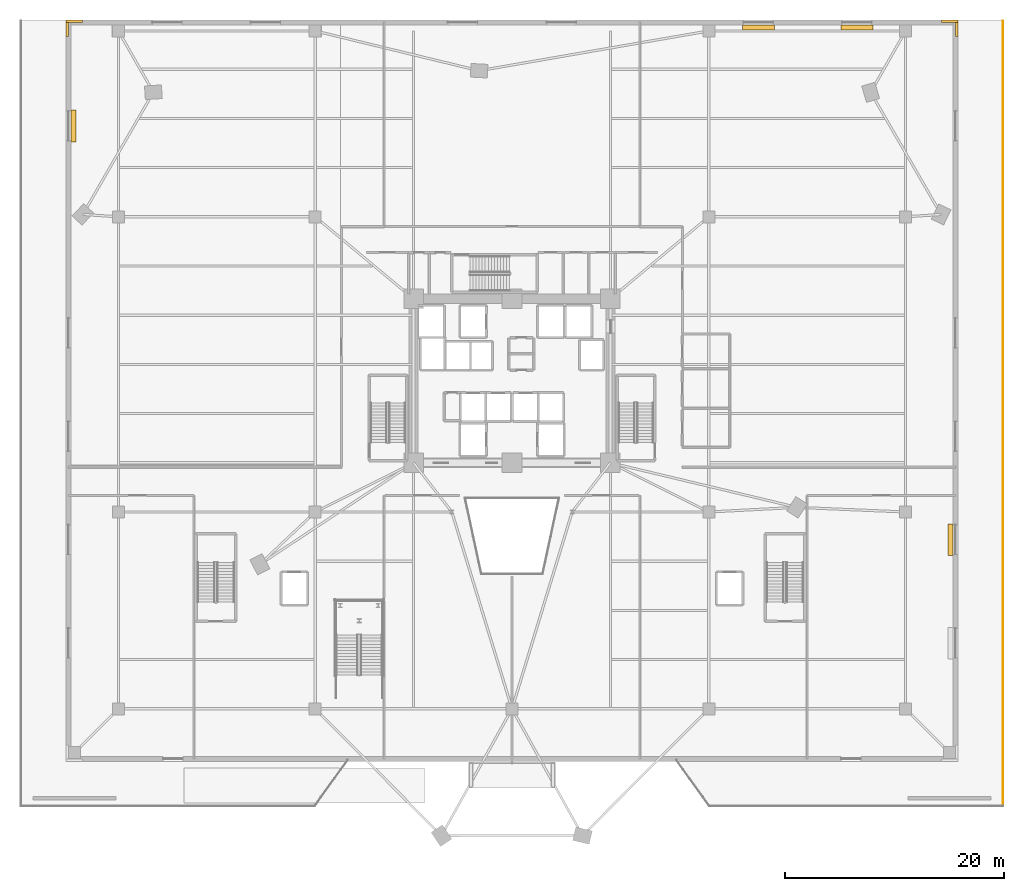
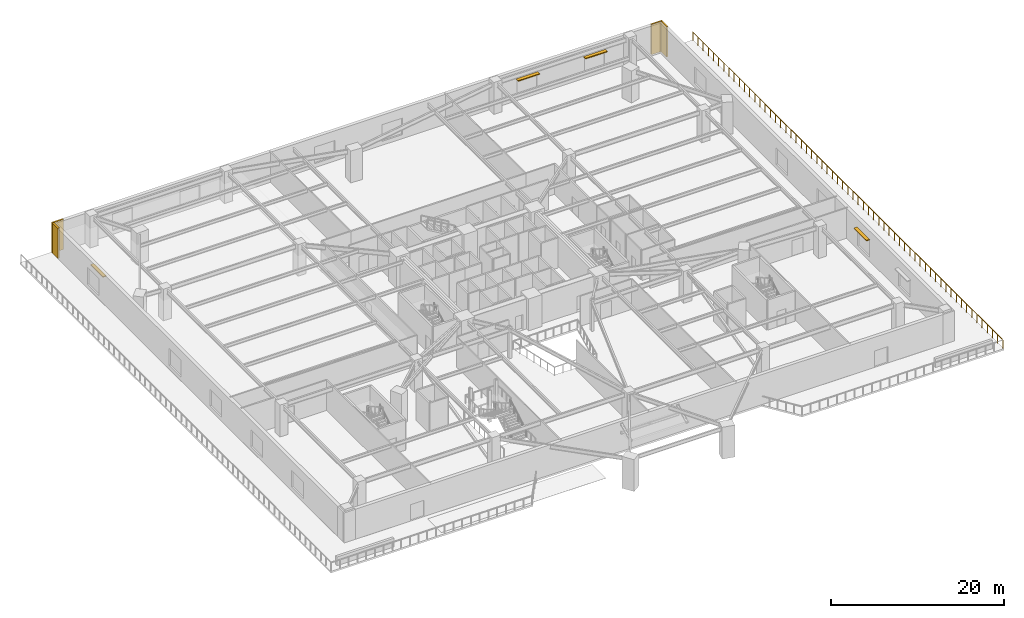
# One storey, part 19 of 19: 4 coverings, 4 shading devices, 1 railing.
"""IFC4 building model written with IfcOpenShell, lengths in metres."""

from ifc_helpers import new_model, si_unit, direction, frame, origin, origin_2d, place, context, subcontext, project, spatial, rectangle, extrude, source, transform, mapped, material, layer, layer_set, material_profile, profile_set, type_object, element, save


model = new_model("IFC4")

# Units and contexts
model_context = context("Model", 3, precision=1e-05, world=origin(), true_north=direction((0.0, 1.0)))
body_context = subcontext(model_context, "Body", "Model", "MODEL_VIEW")
ifc_project = project(units=[si_unit("LENGTHUNIT", "METRE"), si_unit("AREAUNIT", "SQUARE_METRE"), si_unit("VOLUMEUNIT", "CUBIC_METRE"), si_unit("PLANEANGLEUNIT", "RADIAN"), si_unit("MASSUNIT", "GRAM", prefix="KILO")], contexts=[model_context])

# Site, building, storey
site_placement = place(None, origin())
site = spatial("IfcSite", under=ifc_project, at=site_placement, CompositionType="ELEMENT")
building_placement = place(site_placement, origin())
building = spatial("IfcBuilding", under=site, at=building_placement, Name="Liaohun Quay Tower", CompositionType="ELEMENT")
storey_placement = place(building_placement, frame((0.0, 0.0, 9.89990234375)))
storey = spatial("IfcBuildingStorey", under=building, at=storey_placement, Name="L03", CompositionType="ELEMENT", Elevation=9.89990234375)

# Railing
ifc_material_1 = material(Name="Galvanised and powder-coated steel", Category="steel")
railing_type = type_object("IfcRailingType", Name="RLG-GUARD-EXT", PredefinedType="GUARDRAIL", material=ifc_material_1)
railing_placement = place(storey_placement, frame((104.89990234375, 86.89990234375, 0.0)))
element("IfcRailing", 1, at=railing_placement, inside=storey, type_object=railing_type, Name="L03 Stepped Podium Terrace Guardrail 02", PredefinedType="GUARDRAIL", context=body_context, shape_type="SweptSolid", body=[
    extrude(rectangle(XDim=0.048095703125, YDim=0.048095703125, at=origin_2d()), frame((0.0, 0.0, 1.17578125), z_axis=(0.0, -1.0, 0.0), x_axis=(1.0, 0.0, 0.0)), (0.0, 0.0, 1.0), 71.7998046875),
    extrude(rectangle(XDim=0.0419921875, YDim=0.0419921875, at=origin_2d()), origin(), (0.0, 0.0, 1.0), 1.15185546875),
    extrude(rectangle(XDim=0.0419921875, YDim=0.0419921875, at=origin_2d()), frame((0.0, -1.19677734375, 0.0)), (0.0, 0.0, 1.0), 1.15185546875),
    extrude(rectangle(XDim=0.0419921875, YDim=0.0419921875, at=origin_2d()), frame((0.0, -2.393310546875, 0.0)), (0.0, 0.0, 1.0), 1.15185546875),
    extrude(rectangle(XDim=0.0419921875, YDim=0.0419921875, at=origin_2d()), frame((0.0, -3.590087890625, 0.0)), (0.0, 0.0, 1.0), 1.15185546875),
    extrude(rectangle(XDim=0.0419921875, YDim=0.0419921875, at=origin_2d()), frame((0.0, -4.78662109375, 0.0)), (0.0, 0.0, 1.0), 1.15185546875),
    extrude(rectangle(XDim=0.0419921875, YDim=0.0419921875, at=origin_2d()), frame((0.0, -5.9833984375, 0.0)), (0.0, 0.0, 1.0), 1.15185546875),
    extrude(rectangle(XDim=0.0419921875, YDim=0.0419921875, at=origin_2d()), frame((0.0, -7.179931640625, 0.0)), (0.0, 0.0, 1.0), 1.15185546875),
    extrude(rectangle(XDim=0.0419921875, YDim=0.0419921875, at=origin_2d()), frame((0.0, -8.376708984375, 0.0)), (0.0, 0.0, 1.0), 1.15185546875),
    extrude(rectangle(XDim=0.0419921875, YDim=0.0419921875, at=origin_2d()), frame((0.0, -9.5732421875, 0.0)), (0.0, 0.0, 1.0), 1.15185546875),
    extrude(rectangle(XDim=0.0419921875, YDim=0.0419921875, at=origin_2d()), frame((0.0, -10.77001953125, 0.0)), (0.0, 0.0, 1.0), 1.15185546875),
    extrude(rectangle(XDim=0.0419921875, YDim=0.0419921875, at=origin_2d()), frame((0.0, -11.966552734375, 0.0)), (0.0, 0.0, 1.0), 1.15185546875),
    extrude(rectangle(XDim=0.0419921875, YDim=0.0419921875, at=origin_2d()), frame((0.0, -13.163330078125, 0.0)), (0.0, 0.0, 1.0), 1.15185546875),
    extrude(rectangle(XDim=0.0419921875, YDim=0.0419921875, at=origin_2d()), frame((0.0, -14.35986328125, 0.0)), (0.0, 0.0, 1.0), 1.15185546875),
    extrude(rectangle(XDim=0.0419921875, YDim=0.0419921875, at=origin_2d()), frame((0.0, -15.556640625, 0.0)), (0.0, 0.0, 1.0), 1.15185546875),
    extrude(rectangle(XDim=0.0419921875, YDim=0.0419921875, at=origin_2d()), frame((0.0, -16.753173828125, 0.0)), (0.0, 0.0, 1.0), 1.15185546875),
    extrude(rectangle(XDim=0.0419921875, YDim=0.0419921875, at=origin_2d()), frame((0.0, -17.949951171875, 0.0)), (0.0, 0.0, 1.0), 1.15185546875),
    extrude(rectangle(XDim=0.0419921875, YDim=0.0419921875, at=origin_2d()), frame((0.0, -19.146728515625, 0.0)), (0.0, 0.0, 1.0), 1.15185546875),
    extrude(rectangle(XDim=0.0419921875, YDim=0.0419921875, at=origin_2d()), frame((0.0, -20.34326171875, 0.0)), (0.0, 0.0, 1.0), 1.15185546875),
    extrude(rectangle(XDim=0.0419921875, YDim=0.0419921875, at=origin_2d()), frame((0.0, -21.5400390625, 0.0)), (0.0, 0.0, 1.0), 1.15185546875),
    extrude(rectangle(XDim=0.0419921875, YDim=0.0419921875, at=origin_2d()), frame((0.0, -22.736572265625, 0.0)), (0.0, 0.0, 1.0), 1.15185546875),
    extrude(rectangle(XDim=0.0419921875, YDim=0.0419921875, at=origin_2d()), frame((0.0, -23.933349609375, 0.0)), (0.0, 0.0, 1.0), 1.15185546875),
    extrude(rectangle(XDim=0.0419921875, YDim=0.0419921875, at=origin_2d()), frame((0.0, -25.1298828125, 0.0)), (0.0, 0.0, 1.0), 1.15185546875),
    extrude(rectangle(XDim=0.0419921875, YDim=0.0419921875, at=origin_2d()), frame((0.0, -26.32666015625, 0.0)), (0.0, 0.0, 1.0), 1.15185546875),
    extrude(rectangle(XDim=0.0419921875, YDim=0.0419921875, at=origin_2d()), frame((0.0, -27.523193359375, 0.0)), (0.0, 0.0, 1.0), 1.15185546875),
    extrude(rectangle(XDim=0.0419921875, YDim=0.0419921875, at=origin_2d()), frame((0.0, -28.719970703125, 0.0)), (0.0, 0.0, 1.0), 1.15185546875),
    extrude(rectangle(XDim=0.0419921875, YDim=0.0419921875, at=origin_2d()), frame((0.0, -29.91650390625, 0.0)), (0.0, 0.0, 1.0), 1.15185546875),
    extrude(rectangle(XDim=0.0419921875, YDim=0.0419921875, at=origin_2d()), frame((0.0, -31.11328125, 0.0)), (0.0, 0.0, 1.0), 1.15185546875),
    extrude(rectangle(XDim=0.0419921875, YDim=0.0419921875, at=origin_2d()), frame((0.0, -32.309814453125, 0.0)), (0.0, 0.0, 1.0), 1.15185546875),
    extrude(rectangle(XDim=0.0419921875, YDim=0.0419921875, at=origin_2d()), frame((0.0, -33.506591796875, 0.0)), (0.0, 0.0, 1.0), 1.15185546875),
    extrude(rectangle(XDim=0.0419921875, YDim=0.0419921875, at=origin_2d()), frame((0.0, -34.703125, 0.0)), (0.0, 0.0, 1.0), 1.15185546875),
    extrude(rectangle(XDim=0.0419921875, YDim=0.0419921875, at=origin_2d()), frame((0.0, -35.89990234375, 0.0)), (0.0, 0.0, 1.0), 1.15185546875),
    extrude(rectangle(XDim=0.0419921875, YDim=0.0419921875, at=origin_2d()), frame((0.0, -37.0966796875, 0.0)), (0.0, 0.0, 1.0), 1.15185546875),
    extrude(rectangle(XDim=0.0419921875, YDim=0.0419921875, at=origin_2d()), frame((0.0, -38.293212890625, 0.0)), (0.0, 0.0, 1.0), 1.15185546875),
    extrude(rectangle(XDim=0.0419921875, YDim=0.0419921875, at=origin_2d()), frame((0.0, -39.489990234375, 0.0)), (0.0, 0.0, 1.0), 1.15185546875),
    extrude(rectangle(XDim=0.0419921875, YDim=0.0419921875, at=origin_2d()), frame((0.0, -40.6865234375, 0.0)), (0.0, 0.0, 1.0), 1.15185546875),
    extrude(rectangle(XDim=0.0419921875, YDim=0.0419921875, at=origin_2d()), frame((0.0, -41.88330078125, 0.0)), (0.0, 0.0, 1.0), 1.15185546875),
    extrude(rectangle(XDim=0.0419921875, YDim=0.0419921875, at=origin_2d()), frame((0.0, -43.079833984375, 0.0)), (0.0, 0.0, 1.0), 1.15185546875),
    extrude(rectangle(XDim=0.0419921875, YDim=0.0419921875, at=origin_2d()), frame((0.0, -44.276611328125, 0.0)), (0.0, 0.0, 1.0), 1.15185546875),
    extrude(rectangle(XDim=0.0419921875, YDim=0.0419921875, at=origin_2d()), frame((0.0, -45.47314453125, 0.0)), (0.0, 0.0, 1.0), 1.15185546875),
    extrude(rectangle(XDim=0.0419921875, YDim=0.0419921875, at=origin_2d()), frame((0.0, -46.669921875, 0.0)), (0.0, 0.0, 1.0), 1.15185546875),
    extrude(rectangle(XDim=0.0419921875, YDim=0.0419921875, at=origin_2d()), frame((0.0, -47.866455078125, 0.0)), (0.0, 0.0, 1.0), 1.15185546875),
    extrude(rectangle(XDim=0.0419921875, YDim=0.0419921875, at=origin_2d()), frame((0.0, -49.063232421875, 0.0)), (0.0, 0.0, 1.0), 1.15185546875),
    extrude(rectangle(XDim=0.0419921875, YDim=0.0419921875, at=origin_2d()), frame((0.0, -50.259765625, 0.0)), (0.0, 0.0, 1.0), 1.15185546875),
    extrude(rectangle(XDim=0.0419921875, YDim=0.0419921875, at=origin_2d()), frame((0.0, -51.45654296875, 0.0)), (0.0, 0.0, 1.0), 1.15185546875),
    extrude(rectangle(XDim=0.0419921875, YDim=0.0419921875, at=origin_2d()), frame((0.0, -52.653076171875, 0.0)), (0.0, 0.0, 1.0), 1.15185546875),
    extrude(rectangle(XDim=0.0419921875, YDim=0.0419921875, at=origin_2d()), frame((0.0, -53.849853515625, 0.0)), (0.0, 0.0, 1.0), 1.15185546875),
    extrude(rectangle(XDim=0.0419921875, YDim=0.0419921875, at=origin_2d()), frame((0.0, -55.046630859375, 0.0)), (0.0, 0.0, 1.0), 1.15185546875),
    extrude(rectangle(XDim=0.0419921875, YDim=0.0419921875, at=origin_2d()), frame((0.0, -56.2431640625, 0.0)), (0.0, 0.0, 1.0), 1.15185546875),
    extrude(rectangle(XDim=0.0419921875, YDim=0.0419921875, at=origin_2d()), frame((0.0, -57.43994140625, 0.0)), (0.0, 0.0, 1.0), 1.15185546875),
    extrude(rectangle(XDim=0.0419921875, YDim=0.0419921875, at=origin_2d()), frame((0.0, -58.636474609375, 0.0)), (0.0, 0.0, 1.0), 1.15185546875),
    extrude(rectangle(XDim=0.0419921875, YDim=0.0419921875, at=origin_2d()), frame((0.0, -59.833251953125, 0.0)), (0.0, 0.0, 1.0), 1.15185546875),
    extrude(rectangle(XDim=0.0419921875, YDim=0.0419921875, at=origin_2d()), frame((0.0, -61.02978515625, 0.0)), (0.0, 0.0, 1.0), 1.15185546875),
    extrude(rectangle(XDim=0.0419921875, YDim=0.0419921875, at=origin_2d()), frame((0.0, -62.2265625, 0.0)), (0.0, 0.0, 1.0), 1.15185546875),
    extrude(rectangle(XDim=0.0419921875, YDim=0.0419921875, at=origin_2d()), frame((0.0, -63.423095703125, 0.0)), (0.0, 0.0, 1.0), 1.15185546875),
    extrude(rectangle(XDim=0.0419921875, YDim=0.0419921875, at=origin_2d()), frame((0.0, -64.619873046875, 0.0)), (0.0, 0.0, 1.0), 1.15185546875),
    extrude(rectangle(XDim=0.0419921875, YDim=0.0419921875, at=origin_2d()), frame((0.0, -65.81640625, 0.0)), (0.0, 0.0, 1.0), 1.15185546875),
    extrude(rectangle(XDim=0.0419921875, YDim=0.0419921875, at=origin_2d()), frame((0.0, -67.01318359375, 0.0)), (0.0, 0.0, 1.0), 1.15185546875),
    extrude(rectangle(XDim=0.0419921875, YDim=0.0419921875, at=origin_2d()), frame((0.0, -68.209716796875, 0.0)), (0.0, 0.0, 1.0), 1.15185546875),
    extrude(rectangle(XDim=0.0419921875, YDim=0.0419921875, at=origin_2d()), frame((0.0, -69.406494140625, 0.0)), (0.0, 0.0, 1.0), 1.15185546875),
    extrude(rectangle(XDim=0.0419921875, YDim=0.0419921875, at=origin_2d()), frame((0.0, -70.60302734375, 0.0)), (0.0, 0.0, 1.0), 1.15185546875),
    extrude(rectangle(XDim=0.0419921875, YDim=0.0419921875, at=origin_2d()), frame((0.0, -71.7998046875, 0.0)), (0.0, 0.0, 1.0), 1.15185546875),
])

# Coverings
ifc_material_2 = material(Name="Bush-hammered Liaodong grey granite stone cladding", Category="masonry")
ifc_layer = layer(ifc_material_2, 0.0400390625, Name="Bush-hammered Liaodong grey granite stone cladding", Category="masonry")
ifc_layer_set = layer_set([ifc_layer], Name="Bush-hammered Liaodong grey granite stone cladding")
covering_type = type_object("IfcCoveringType", Name="COV-EXT-CLD", PredefinedType="CLADDING", material=ifc_layer_set)
shared_shape_1 = source(origin(), body_context, "Body", "SweptSolid", [
    extrude(rectangle(XDim=1.5, YDim=0.219970703125, at=origin_2d()), origin(), (0.0, 0.0, 1.0), 4.25),
])
for number, where, z_axis, x_axis, name in (
    (2, (100.050048828125, 86.889892578125, 0.0), (0.0, 0.0, 1.0), (1.0, 0.0, 0.0), "L03 Corner Granite Pier Cladding NE-X"),
    (3, (19.949951171875, 86.889892578125, 0.0), (0.0, 0.0, 1.0), (1.0, 0.0, 0.0), "L03 Corner Granite Pier Cladding NW-X"),
):
    element("IfcCovering", number, at=place(storey_placement, frame(where, z_axis=z_axis, x_axis=x_axis)), inside=storey, type_object=covering_type, Name=name, PredefinedType="CLADDING", context=body_context, shape_type="MappedRepresentation", body=[
        mapped(shared_shape_1, transform((0.0, 0.0, 0.0), x_axis=(1.0, 0.0, 0.0), y_axis=(0.0, 1.0, 0.0), z_axis=(0.0, 0.0, 1.0), scale=1.0)),
    ])
shared_shape_2 = source(origin(), body_context, "Body", "SweptSolid", [
    extrude(rectangle(XDim=0.219970703125, YDim=1.280029296875, at=origin_2d()), origin(), (0.0, 0.0, 1.0), 4.25),
])
for number, where, z_axis, x_axis, name in (
    (4, (100.68994140625, 86.139892578125, 0.0), (0.0, 0.0, 1.0), (1.0, 0.0, 0.0), "L03 Corner Granite Pier Cladding NE-Y"),
    (5, (19.31005859375, 86.139892578125, 0.0), (0.0, 0.0, 1.0), (1.0, 0.0, 0.0), "L03 Corner Granite Pier Cladding NW-Y"),
):
    element("IfcCovering", number, at=place(storey_placement, frame(where, z_axis=z_axis, x_axis=x_axis)), inside=storey, type_object=covering_type, Name=name, PredefinedType="CLADDING", context=body_context, shape_type="MappedRepresentation", body=[
        mapped(shared_shape_2, transform((0.0, 0.0, 0.0), x_axis=(1.0, 0.0, 0.0), y_axis=(0.0, 1.0, 0.0), z_axis=(0.0, 0.0, 1.0), scale=1.0)),
    ])

# Shading devices
ifc_material_3 = material(Name="Precast concrete C50", Category="concrete")
ifc_material_profile = material_profile(ifc_material_3, rectangle(XDim=0.449951171875, YDim=0.1201171875, at=origin_2d()), Name="PRC-SUN-450x120")
ifc_profile_set = profile_set([ifc_material_profile], Name="Precast concrete C50")
shading_device_type = type_object("IfcShadingDeviceType", Name="SHD-SUN-POD", PredefinedType="SHUTTER", material=ifc_profile_set)
shared_shape_3 = source(origin(), body_context, "Body", "SweptSolid", [
    extrude(rectangle(XDim=0.449951171875, YDim=0.1201171875, at=origin_2d()), origin(), (0.0, 0.0, 1.0), 2.89990234375),
])
for number, where, z_axis, x_axis, name in (
    (6, (93.00390625, 86.320068359375, 3.050048828125), (-1.0, 0.0, 0.0), (0.0, -1.0, 0.0), "L03 Precast Window Thermal Hood SN-1-02-01"),
    (7, (83.989013671875, 86.320068359375, 3.050048828125), (-1.0, 0.0, 0.0), (0.0, -1.0, 0.0), "L03 Precast Window Thermal Hood SN-1-02-02"),
):
    element("IfcShadingDevice", number, at=place(storey_placement, frame(where, z_axis=z_axis, x_axis=x_axis)), inside=storey, type_object=shading_device_type, Name=name, PredefinedType="SHUTTER", context=body_context, shape_type="MappedRepresentation", body=[
        mapped(shared_shape_3, transform((0.0, 0.0, 0.0), x_axis=(1.0, 0.0, 0.0), y_axis=(0.0, 1.0, 0.0), z_axis=(0.0, 0.0, 1.0), scale=1.0)),
    ])
shared_shape_4 = source(origin(), body_context, "Body", "SweptSolid", [
    extrude(rectangle(XDim=0.449951171875, YDim=0.1201171875, at=origin_2d()), origin(), (0.0, 0.0, 1.0), 2.900146484375),
])
for number, where, z_axis, x_axis, name in (
    (8, (100.1201171875, 38.012939453125, 3.050048828125), (0.0, 1.0, 0.0), (-1.0, 0.0, 0.0), "L03 Precast Window Thermal Hood SN-1-01-02"),
    (9, (19.8798828125, 78.759033203125, 3.050048828125), (0.0, -1.0, 0.0), (1.0, 0.0, 0.0), "L03 Precast Window Thermal Hood SN-1-03-01"),
):
    element("IfcShadingDevice", number, at=place(storey_placement, frame(where, z_axis=z_axis, x_axis=x_axis)), inside=storey, type_object=shading_device_type, Name=name, PredefinedType="SHUTTER", context=body_context, shape_type="MappedRepresentation", body=[
        mapped(shared_shape_4, transform((0.0, 0.0, 0.0), x_axis=(1.0, 0.0, 0.0), y_axis=(0.0, 1.0, 0.0), z_axis=(0.0, 0.0, 1.0), scale=1.0)),
    ])

save(model, "model.ifc")
